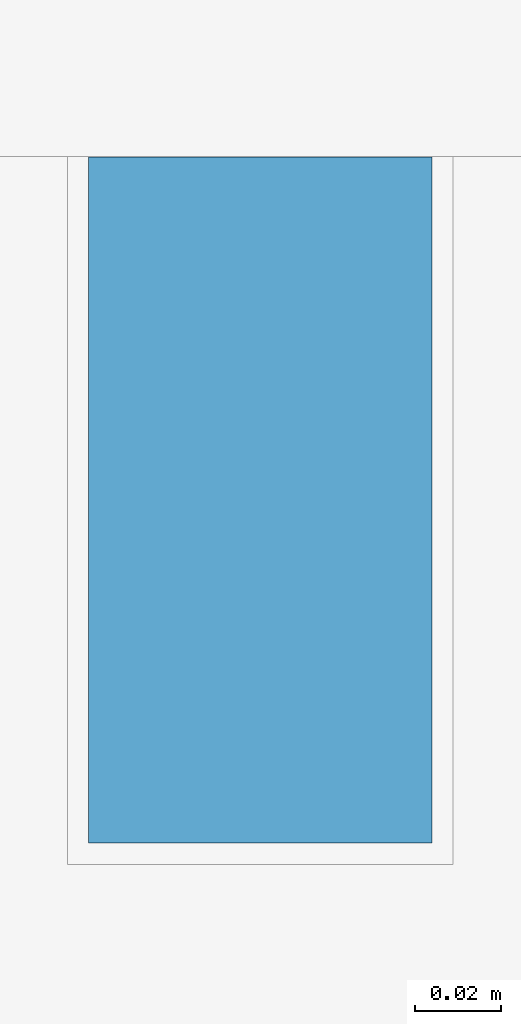
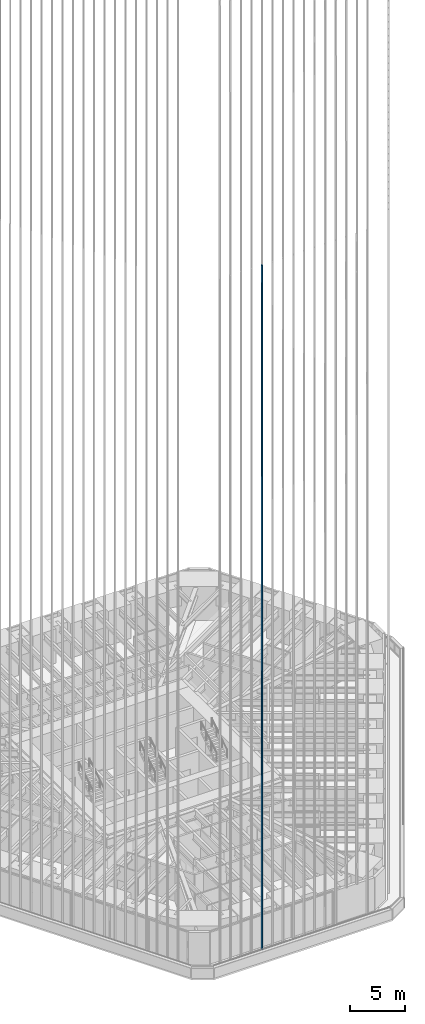
# One storey, part 22 of 238: 1 member, 1 element without a shape of its own.
"""IFC4 building model written with IfcOpenShell, lengths in metres."""

import ifcopenshell
import ifcopenshell.guid

model = None  # the IFC model being written
_history = None  # IfcOwnerHistory: only IFC2X3 demands one
_inside = {}  # id of a spatial element -> (the spatial element, [elements in it])
_under = {}  # id of a project, library or spatial element -> (it, [spatial elements below it])
_declared = {}  # id of a project -> (the project, [libraries it declares])
_typed = {}  # id of a type object -> (the type object, [elements of that type])
_made_of = {}  # id of a material, layer set ... -> (it, [elements and type objects made of it])


def new_model(schema):
    """Start an empty IFC model of exactly this schema.

    Asked for "IFC4X3", IfcOpenShell would pick the latest addendum, in which some entities
    have other attributes; the version numbers below select the first issue.
    IFC2X3 requires an IfcOwnerHistory on every rooted entity: one is made here for all.
    """
    global model, _history
    if schema == "IFC4X3":
        model = ifcopenshell.file(schema_version=(4, 3, 0, 0))
    else:
        model = ifcopenshell.file(schema=schema)
    _inside.clear()
    _under.clear()
    _declared.clear()
    _typed.clear()
    _made_of.clear()
    _history = None
    if model.schema == "IFC2X3":
        org = make("IfcOrganization", Name="unknown")
        user = make(
            "IfcPersonAndOrganization",
            ThePerson=make("IfcPerson", FamilyName="unknown"),
            TheOrganization=org,
        )
        app = make(
            "IfcApplication",
            ApplicationDeveloper=org,
            Version="unknown",
            ApplicationFullName="unknown",
            ApplicationIdentifier="unknown",
        )
        _history = make(
            "IfcOwnerHistory",
            OwningUser=user,
            OwningApplication=app,
            ChangeAction="ADDED",
            CreationDate=0,
        )
    return model


def make(cls, **values):
    """One entity of the class cls with the attributes given. An attribute that is None is left unset."""
    return model.create_entity(
        cls, **{name: value for name, value in values.items() if value is not None}
    )


def rooted(cls, **values):
    """An entity with a GlobalId (a new one), such as an element, a storey or a relation."""
    return make(cls, GlobalId=ifcopenshell.guid.new(), OwnerHistory=_history, **values)


def si_unit(unit_type, name, prefix=None):
    """IfcSIUnit, for example si_unit("LENGTHUNIT", "METRE", prefix="MILLI")."""
    return make("IfcSIUnit", UnitType=unit_type, Prefix=prefix, Name=name)


def assignment(units):
    """IfcUnitAssignment: the units of a project."""
    return None if units is None else make("IfcUnitAssignment", Units=units)


def point(xyz):
    """IfcCartesianPoint."""
    return None if xyz is None else make("IfcCartesianPoint", Coordinates=xyz)


def direction(xyz):
    """IfcDirection."""
    return None if xyz is None else make("IfcDirection", DirectionRatios=xyz)


def frame(location, z_axis=None, x_axis=None):
    """IfcAxis2Placement3D, a coordinate frame: its origin and axes. An axis left out is left unset."""
    return make(
        "IfcAxis2Placement3D",
        Location=point(location),
        Axis=direction(z_axis),
        RefDirection=direction(x_axis),
    )


def frame_2d(location, x_axis=None):
    """IfcAxis2Placement2D, a coordinate frame in the plane: its origin and x axis."""
    return make(
        "IfcAxis2Placement2D", Location=point(location), RefDirection=direction(x_axis)
    )


def origin():
    """The frame at (0, 0, 0) with its axes left unset."""
    return frame((0.0, 0.0, 0.0))


def origin_2d():
    """The frame at (0, 0) in the plane with its x axis left unset."""
    return frame_2d((0.0, 0.0))


def place(relative_to, where):
    """IfcLocalPlacement: puts the frame where relative to a parent placement (None: the world)."""
    return make(
        "IfcLocalPlacement", PlacementRelTo=relative_to, RelativePlacement=where
    )


def context(
    kind, dimensions, precision=None, world=None, true_north=None, identifier=None
):
    """IfcGeometricRepresentationContext, for example the 3D "Model" context."""
    return make(
        "IfcGeometricRepresentationContext",
        ContextIdentifier=identifier,
        ContextType=kind,
        CoordinateSpaceDimension=dimensions,
        Precision=precision,
        WorldCoordinateSystem=world,
        TrueNorth=true_north,
    )


def subcontext(parent, identifier, kind, view, scale=None):
    """IfcGeometricRepresentationSubContext, for example "Body" below "Model"."""
    return make(
        "IfcGeometricRepresentationSubContext",
        ContextIdentifier=identifier,
        ContextType=kind,
        ParentContext=parent,
        TargetScale=scale,
        TargetView=view,
    )


def project(units=None, contexts=None):
    """IfcProject with its units and contexts."""
    return rooted(
        "IfcProject",
        Name="project",
        RepresentationContexts=contexts,
        UnitsInContext=assignment(units),
    )


def spatial(cls, under=None, at=None, **own):
    """A site, building, storey or space (cls), placed at a placement, below another one or the project."""
    s = rooted(cls, ObjectPlacement=at, **own)
    if under is not None:
        _under.setdefault(under.id(), (under, []))[1].append(s)
    return s


def profile(cls, at=None, kind="AREA", **sizes):
    """A parametric profile (cls). Its sizes go by their IFC names, for example OverallWidth=200.0."""
    return make(cls, ProfileType=kind, Position=at, **sizes)


def rectangle(**sizes):
    """IfcRectangleProfileDef."""
    return profile("IfcRectangleProfileDef", **sizes)


def extrude(swept, where, along, depth):
    """IfcExtrudedAreaSolid: the profile swept, set in the frame where, extruded along a direction by depth."""
    return make(
        "IfcExtrudedAreaSolid",
        SweptArea=swept,
        Position=where,
        ExtrudedDirection=direction(along),
        Depth=depth,
    )


def shape(context_of_items, identifier, shape_type, items):
    """IfcShapeRepresentation: the items that make up one representation, for example the "Body"."""
    return make(
        "IfcShapeRepresentation",
        ContextOfItems=context_of_items,
        RepresentationIdentifier=identifier,
        RepresentationType=shape_type,
        Items=items,
    )


def material(Name=None, Category=None):
    """IfcMaterial."""
    return make("IfcMaterial", Name=Name, Category=Category)


def material_profile(
    of_material, cross_section, Name=None, Category=None, Priority=None
):
    """IfcMaterialProfile: a cross section and its material."""
    return make(
        "IfcMaterialProfile",
        Name=Name,
        Material=of_material,
        Profile=cross_section,
        Priority=Priority,
        Category=Category,
    )


def profile_set(profiles, Name=None, composite=None):
    """IfcMaterialProfileSet."""
    return make(
        "IfcMaterialProfileSet",
        Name=Name,
        MaterialProfiles=profiles,
        CompositeProfile=composite,
    )


def made_of(thing, what):
    """Note that an element or type object is made of a material, layer set ...; save() writes the relation."""
    if what is not None:
        _made_of.setdefault(what.id(), (what, []))[1].append(thing)
    return thing


def type_object(cls, material=None, **own):
    """A type object (cls), such as IfcWallType, which elements share."""
    return made_of(rooted(cls, **own), material)


def element(
    cls,
    number,
    at=None,
    inside=None,
    cuts=None,
    type_object=None,
    material=None,
    context=None,
    identifier="Body",
    shape_type=None,
    held_by="IfcProductDefinitionShape",
    body=None,
    shapes=None,
    **own,
):
    """One element of the class cls, such as IfcWall. Its Tag is "e" and its number.

    at: its placement. inside: the storey or other place that contains it. cuts: it is an
    opening in that element (IfcRelVoidsElement). A single representation is given by context,
    identifier, shape_type and body (its items); several are given by shapes. held_by: the class
    of the entity that holds the representations. save() writes the other relations.
    """
    e = rooted(cls, Tag="e%d" % number, ObjectPlacement=at, **own)
    if body is not None:
        shapes = [shape(context, identifier, shape_type, body)]
    if shapes is not None:
        e.Representation = make(held_by, Representations=shapes)
    if inside is not None:
        _inside.setdefault(inside.id(), (inside, []))[1].append(e)
    if cuts is not None:
        rooted(
            "IfcRelVoidsElement", RelatingBuildingElement=cuts, RelatedOpeningElement=e
        )
    if type_object is not None:
        _typed.setdefault(type_object.id(), (type_object, []))[1].append(e)
    return made_of(e, material)


def aggregate(whole, parts):
    """IfcRelAggregates: a whole, such as a stair, and the parts it consists of."""
    return rooted("IfcRelAggregates", RelatingObject=whole, RelatedObjects=parts)


def save(model, path):
    """Write the relations noted so far, then the file.

    IfcRelAggregates (storeys below a building ...), IfcRelContainedInSpatialStructure (elements
    in a storey), IfcRelDefinesByType, IfcRelAssociatesMaterial and IfcRelDeclares: one each for
    every whole, place, type object, material and project.
    """
    for whole, parts in _under.values():
        aggregate(whole, parts)
    for where, things in _inside.values():
        rooted(
            "IfcRelContainedInSpatialStructure",
            RelatedElements=things,
            RelatingStructure=where,
        )
    for kind, things in _typed.values():
        rooted("IfcRelDefinesByType", RelatedObjects=things, RelatingType=kind)
    for what, things in _made_of.values():
        rooted("IfcRelAssociatesMaterial", RelatedObjects=things, RelatingMaterial=what)
    for by, libraries in _declared.values():
        rooted("IfcRelDeclares", RelatingContext=by, RelatedDefinitions=libraries)
    model.write(path)


model = new_model("IFC4")

# Units and contexts
model_context = context("Model", 3, precision=1e-05, world=origin(), true_north=direction((0.0, 1.0)))
body_context = subcontext(model_context, "Body", "Model", "MODEL_VIEW")
ifc_project = project(units=[si_unit("LENGTHUNIT", "METRE"), si_unit("AREAUNIT", "SQUARE_METRE"), si_unit("VOLUMEUNIT", "CUBIC_METRE"), si_unit("PLANEANGLEUNIT", "RADIAN"), si_unit("MASSUNIT", "GRAM", prefix="KILO")], contexts=[model_context])

# Site, building, storey
site_placement = place(None, origin())
site = spatial("IfcSite", under=ifc_project, at=site_placement, CompositionType="ELEMENT")
building_placement = place(site_placement, origin())
building = spatial("IfcBuilding", under=site, at=building_placement, Name="Sandreach Pilgrim Tower", CompositionType="ELEMENT")
storey_placement = place(building_placement, frame((0.0, 0.0, 96.800048828125)))
storey = spatial("IfcBuildingStorey", under=building, at=storey_placement, Name="L23", CompositionType="ELEMENT", Elevation=96.800048828125)

# Curtain wall, member
ifc_material_1 = material(Name="Aluminium framed curtain wall", Category="aluminium")
curtain_wall_type = type_object("IfcCurtainWallType", Name="Hotel tower curtain wall", PredefinedType="NOTDEFINED", material=ifc_material_1)
curtain_wall_placement = place(storey_placement, origin())
curtain_wall = element("IfcCurtainWall", 1, at=curtain_wall_placement, inside=storey, type_object=curtain_wall_type, Name="CW-2 L23 SA", PredefinedType="NOTDEFINED")
ifc_material_2 = material(Name="Extruded terracotta on aluminium core", Category="masonry")
ifc_material_profile = material_profile(ifc_material_2, rectangle(XDim=0.080078125, YDim=0.159912109375, at=origin_2d()), Name="TBS 80X160")
ifc_profile_set = profile_set([ifc_material_profile], Name="Extruded terracotta on aluminium core")
member_type = type_object("IfcMemberType", Name="Terracotta baguette south", PredefinedType="USERDEFINED", material=ifc_profile_set)
member_placement = place(storey_placement, frame((-3.3115234375, -28.572265625, 0.0), z_axis=(0.0, 0.0, 1.0), x_axis=(-1.0, 0.0, 0.0)))
member = element("IfcMember", 2, at=member_placement, type_object=member_type, Name="Baguette Z2 S11", ObjectType="BAGUETTE", PredefinedType="USERDEFINED", context=body_context, shape_type="SweptSolid", body=[
    extrude(rectangle(XDim=0.080078125, YDim=0.159912109375, at=origin_2d()), origin(), (0.0, 0.0, 1.0), 75.83984375),
])
aggregate(curtain_wall, [member])

save(model, "model.ifc")
